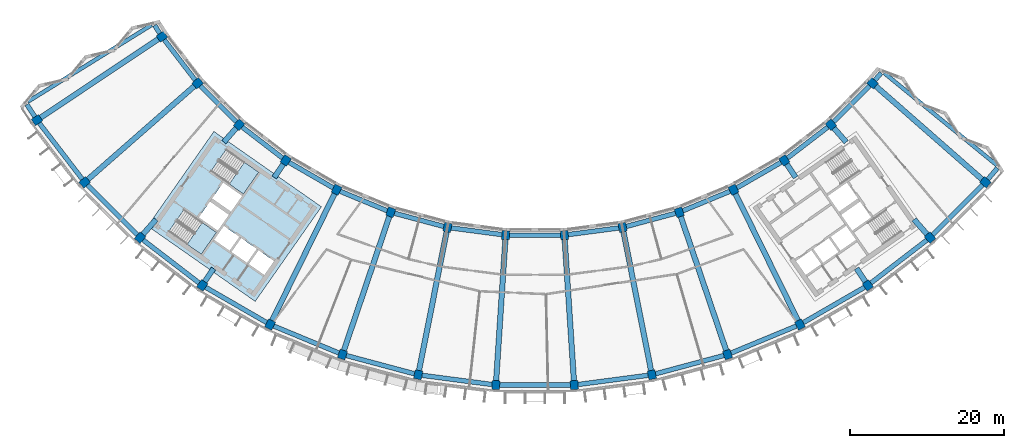
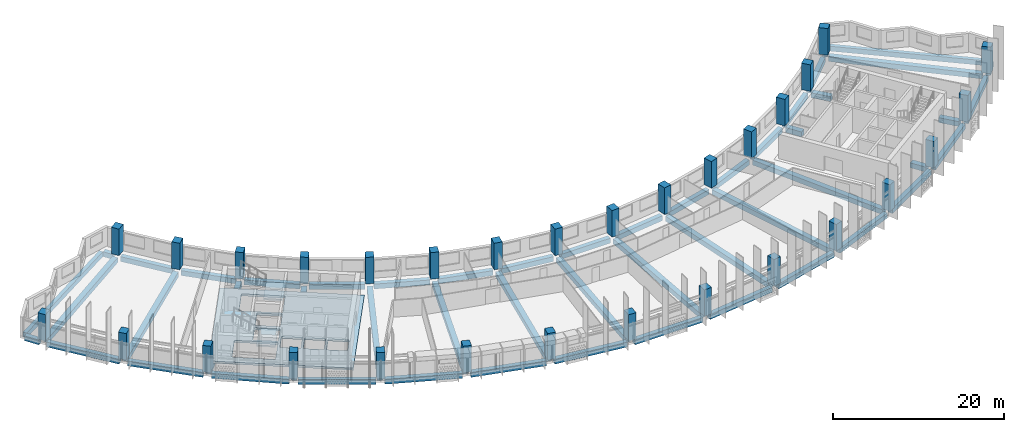
# One storey, part 1 of 28: 53 beams, 30 columns, 3 slabs, 2 elements without a shape of their own.
"""IFC4 building model written with IfcOpenShell, lengths in metres."""

from ifc_helpers import new_model, si_unit, direction, frame, origin, origin_2d, place, context, subcontext, project, spatial, polyline, rectangle, outline, extrude, material, layer, layer_set, material_profile, profile_set, type_object, element, aggregate, save


model = new_model("IFC4")

# Units and contexts
model_context = context("Model", 3, precision=1e-05, world=origin(), true_north=direction((0.0, 1.0)))
body_context = subcontext(model_context, "Body", "Model", "MODEL_VIEW")
ifc_project = project(units=[si_unit("LENGTHUNIT", "METRE"), si_unit("AREAUNIT", "SQUARE_METRE"), si_unit("VOLUMEUNIT", "CUBIC_METRE"), si_unit("PLANEANGLEUNIT", "RADIAN"), si_unit("MASSUNIT", "GRAM", prefix="KILO")], contexts=[model_context])

# Site, building, storey
site_placement = place(None, origin())
site = spatial("IfcSite", under=ifc_project, at=site_placement, CompositionType="ELEMENT")
building_placement = place(site_placement, origin())
building = spatial("IfcBuilding", under=site, at=building_placement, Name="Qamariyya Broadcast Tower", CompositionType="ELEMENT")
storey_placement = place(building_placement, frame((0.0, 0.0, 226.5)))
storey = spatial("IfcBuildingStorey", under=building, at=storey_placement, Name="L54", CompositionType="ELEMENT", Elevation=226.5)

# Columns
ifc_material_1 = material(Name="Concrete C60/75", Category="concrete")
ifc_material_profile_1 = material_profile(ifc_material_1, rectangle(XDim=1.0, YDim=1.14990234375, at=origin_2d()))
ifc_profile_set_1 = profile_set([ifc_material_profile_1], Name="Concrete C60/75")
column_type = type_object("IfcColumnType", Name="RC column 1000 x 1150 C60/75", PredefinedType="COLUMN", material=ifc_profile_set_1)
for number, where, z_axis, x_axis, name in (
    (1, (-48.43310546875, -32.362060546875, 0.0), (0.0, 0.0, 1.0), (0.55557023302, -0.831469612303, 0.0), "Column C11 L54 B-R03"),
    (2, (-64.646728515625, -43.195556640625, 0.0), (0.0, 0.0, 1.0), (0.55557023302, -0.831469612303, 0.0), "Column C11 L54 C-R03"),
    (3, (-43.794677734375, -38.406982421875, 0.0), (0.0, 0.0, 1.0), (0.6593458151, -0.751839807479, 0.0), "Column C11 L54 B-R04"),
    (4, (-58.45556640625, -51.26416015625, 0.0), (0.0, 0.0, 1.0), (0.6593458151, -0.751839807479, 0.0), "Column C11 L54 C-R04"),
    (5, (-38.406982421875, -43.794677734375, 0.0), (0.0, 0.0, 1.0), (0.751839807479, -0.6593458151, 0.0), "Column C11 L54 B-R05"),
    (6, (-51.26416015625, -58.45556640625, 0.0), (0.0, 0.0, 1.0), (0.751839807479, -0.6593458151, 0.0), "Column C11 L54 C-R05"),
    (7, (-32.362060546875, -48.43310546875, 0.0), (0.0, 0.0, 1.0), (0.831469612303, -0.55557023302, 0.0), "Column C11 L54 B-R06"),
    (8, (-43.195556640625, -64.646728515625, 0.0), (0.0, 0.0, 1.0), (0.831469612303, -0.55557023302, 0.0), "Column C11 L54 C-R06"),
    (9, (-25.763427734375, -52.242919921875, 0.0), (0.0, 0.0, 1.0), (0.896872741533, -0.442288690219, 0.0), "Column C11 L54 B-R07"),
    (10, (-34.387939453125, -69.73193359375, 0.0), (0.0, 0.0, 1.0), (0.896872741533, -0.442288690219, 0.0), "Column C11 L54 C-R07"),
    (11, (-18.723876953125, -55.15869140625, 0.0), (0.0, 0.0, 1.0), (0.946930129495, -0.321439465303, 0.0), "Column C11 L54 B-R08"),
    (12, (-24.991943359375, -73.623779296875, 0.0), (0.0, 0.0, 1.0), (0.946930129495, -0.321439465303, 0.0), "Column C11 L54 C-R08"),
    (13, (-11.364013671875, -57.130859375, 0.0), (0.0, 0.0, 1.0), (0.980785280403, -0.195090322016, 0.0), "Column C11 L54 B-R09"),
    (14, (-15.168212890625, -76.256103515625, 0.0), (0.0, 0.0, 1.0), (0.980785280403, -0.195090322016, 0.0), "Column C11 L54 C-R09"),
    (15, (-3.809814453125, -58.125244140625, 0.0), (0.0, 0.0, 1.0), (0.997858923239, -0.06540312923, 0.0), "Column C11 L54 B-R10"),
    (16, (-5.085205078125, -77.58349609375, 0.0), (0.0, 0.0, 1.0), (0.997858923239, -0.06540312923, 0.0), "Column C11 L54 C-R10"),
    (17, (3.809814453125, -58.125244140625, 0.0), (0.0, 0.0, 1.0), (0.997858923239, 0.06540312923, 0.0), "Column C11 L54 B-R11"),
    (18, (5.085205078125, -77.58349609375, 0.0), (0.0, 0.0, 1.0), (0.997858923239, 0.06540312923, 0.0), "Column C11 L54 C-R11"),
    (19, (11.364013671875, -57.130859375, 0.0), (0.0, 0.0, 1.0), (0.980785280403, 0.195090322016, 0.0), "Column C11 L54 B-R12"),
    (20, (15.168212890625, -76.256103515625, 0.0), (0.0, 0.0, 1.0), (0.980785280403, 0.195090322016, 0.0), "Column C11 L54 C-R12"),
    (21, (18.723876953125, -55.15869140625, 0.0), (0.0, 0.0, 1.0), (0.946930129495, 0.321439465303, 0.0), "Column C11 L54 B-R13"),
    (22, (24.991943359375, -73.623779296875, 0.0), (0.0, 0.0, 1.0), (0.946930129495, 0.321439465303, 0.0), "Column C11 L54 C-R13"),
    (23, (25.763427734375, -52.242919921875, 0.0), (0.0, 0.0, 1.0), (0.896872741533, 0.442288690219, 0.0), "Column C11 L54 B-R14"),
    (24, (34.387939453125, -69.73193359375, 0.0), (0.0, 0.0, 1.0), (0.896872741533, 0.442288690219, 0.0), "Column C11 L54 C-R14"),
    (25, (32.362060546875, -48.43310546875, 0.0), (0.0, 0.0, 1.0), (0.831469612303, 0.55557023302, 0.0), "Column C11 L54 B-R15"),
    (26, (43.195556640625, -64.646728515625, 0.0), (0.0, 0.0, 1.0), (0.831469612303, 0.55557023302, 0.0), "Column C11 L54 C-R15"),
    (27, (38.406982421875, -43.794677734375, 0.0), (0.0, 0.0, 1.0), (0.751839807479, 0.6593458151, 0.0), "Column C11 L54 B-R16"),
    (28, (51.26416015625, -58.45556640625, 0.0), (0.0, 0.0, 1.0), (0.751839807479, 0.6593458151, 0.0), "Column C11 L54 C-R16"),
    (29, (43.794677734375, -38.406982421875, 0.0), (0.0, 0.0, 1.0), (0.6593458151, 0.751839807479, 0.0), "Column C11 L54 B-R17"),
    (30, (58.45556640625, -51.26416015625, 0.0), (0.0, 0.0, 1.0), (0.6593458151, 0.751839807479, 0.0), "Column C11 L54 C-R17"),
):
    element("IfcColumn", number, at=place(storey_placement, frame(where, z_axis=z_axis, x_axis=x_axis)), inside=storey, type_object=column_type, Name=name, PredefinedType="COLUMN", context=body_context, shape_type="SweptSolid", body=[
        extrude(rectangle(XDim=1.0, YDim=1.14990234375, at=origin_2d()), origin(), (0.0, 0.0, 1.0), 3.800048828125),
    ])

# Beams
ifc_material_2 = material(Name="Concrete C40/50", Category="concrete")
ifc_material_profile_2 = material_profile(ifc_material_2, rectangle(XDim=0.60009765625, YDim=0.699951171875, at=origin_2d()))
ifc_profile_set_2 = profile_set([ifc_material_profile_2], Name="Concrete C40/50")
beam_type_1 = type_object("IfcBeamType", Name="RC edge beam 600 x 700 C40/50", PredefinedType="SPANDREL", material=ifc_profile_set_2)
for number, where, z_axis, x_axis, name in (
    (31, (-48.128173828125, -32.759521484375, -0.64990234375), (0.608788546151, -0.79333253184, 0.0), (0.79333253184, 0.608788546151, 0.0), "Edge beam B20 L54 B R03-R04"),
    (32, (-43.4404296875, -38.76123046875, -0.64990234375), (0.707106781187, -0.707106781187, 0.0), (0.707106781187, 0.707106781187, 0.0), "Edge beam B20 L54 B R04-R05"),
    (33, (-38.00927734375, -44.099609375, -0.64990234375), (0.79333253184, -0.608788546151, 0.0), (0.608788546151, 0.79333253184, 0.0), "Edge beam B20 L54 B R05-R06"),
):
    element("IfcBeam", number, at=place(storey_placement, frame(where, z_axis=z_axis, x_axis=x_axis)), inside=storey, type_object=beam_type_1, Name=name, PredefinedType="SPANDREL", context=body_context, shape_type="SweptSolid", body=[
        extrude(rectangle(XDim=0.60009765625, YDim=0.699951171875, at=origin_2d()), origin(), (0.0, 0.0, 1.0), 6.617431640625),
    ])
for number, where, z_axis, x_axis, name in (
    (34, (-31.927978515625, -48.68359375, -0.64990234375), (0.866027686223, -0.499996046679, 0.0), (0.499996046679, 0.866027686223, 0.0), "Edge beam B20 L54 B R06-R07"),
    (35, (-25.30029296875, -52.4345703125, -0.64990234375), (0.923870685948, -0.382704789159, 0.0), (0.382704789159, 0.923870685948, 0.0), "Edge beam B20 L54 B R07-R08"),
):
    element("IfcBeam", number, at=place(storey_placement, frame(where, z_axis=z_axis, x_axis=x_axis)), inside=storey, type_object=beam_type_1, Name=name, PredefinedType="SPANDREL", context=body_context, shape_type="SweptSolid", body=[
        extrude(rectangle(XDim=0.60009765625, YDim=0.699951171875, at=origin_2d()), origin(), (0.0, 0.0, 1.0), 6.6171875),
    ])
for number, where, z_axis, x_axis, name in (
    (36, (-18.23974609375, -55.288330078125, -0.64990234375), (0.965927466282, -0.258812924486, 0.0), (0.258812924486, 0.965927466282, 0.0), "Edge beam B20 L54 B R08-R09"),
    (37, (-10.8671875, -57.196044921875, -0.64990234375), (0.991444372314, -0.130529906942, 0.0), (0.130529906942, 0.991444372314, 0.0), "Edge beam B20 L54 B R09-R10"),
):
    element("IfcBeam", number, at=place(storey_placement, frame(where, z_axis=z_axis, x_axis=x_axis)), inside=storey, type_object=beam_type_1, Name=name, PredefinedType="SPANDREL", context=body_context, shape_type="SweptSolid", body=[
        extrude(rectangle(XDim=0.60009765625, YDim=0.699951171875, at=origin_2d()), origin(), (0.0, 0.0, 1.0), 6.617431640625),
    ])
beam_1_placement = place(storey_placement, frame((-3.30859375, -58.125244140625, -0.64990234375), z_axis=(1.0, 0.0, 0.0), x_axis=(0.0, 1.0, 0.0)))
element("IfcBeam", 38, at=beam_1_placement, inside=storey, type_object=beam_type_1, Name="Edge beam B20 L54 B R10-R11", PredefinedType="SPANDREL", context=body_context, shape_type="SweptSolid", body=[
    extrude(rectangle(XDim=0.60009765625, YDim=0.699951171875, at=origin_2d()), origin(), (0.0, 0.0, 1.0), 6.6171875),
])
for number, where, z_axis, x_axis, name in (
    (39, (4.306396484375, -58.059814453125, -0.64990234375), (0.991444372314, 0.130529906942, 0.0), (-0.130529906942, 0.991444372314, 0.0), "Edge beam B20 L54 B R11-R12"),
    (40, (11.847900390625, -57.0009765625, -0.64990234375), (0.965927466282, 0.258812924486, 0.0), (-0.258812924486, 0.965927466282, 0.0), "Edge beam B20 L54 B R12-R13"),
):
    element("IfcBeam", number, at=place(storey_placement, frame(where, z_axis=z_axis, x_axis=x_axis)), inside=storey, type_object=beam_type_1, Name=name, PredefinedType="SPANDREL", context=body_context, shape_type="SweptSolid", body=[
        extrude(rectangle(XDim=0.60009765625, YDim=0.699951171875, at=origin_2d()), origin(), (0.0, 0.0, 1.0), 6.617431640625),
    ])
for number, where, z_axis, x_axis, name in (
    (41, (19.186767578125, -54.967041015625, -0.64990234375), (0.923870685948, 0.382704789159, 0.0), (-0.382704789159, 0.923870685948, 0.0), "Edge beam B20 L54 B R13-R14"),
    (42, (26.197265625, -51.9921875, -0.64990234375), (0.866027686223, 0.499996046679, 0.0), (-0.499996046679, 0.866027686223, 0.0), "Edge beam B20 L54 B R14-R15"),
):
    element("IfcBeam", number, at=place(storey_placement, frame(where, z_axis=z_axis, x_axis=x_axis)), inside=storey, type_object=beam_type_1, Name=name, PredefinedType="SPANDREL", context=body_context, shape_type="SweptSolid", body=[
        extrude(rectangle(XDim=0.60009765625, YDim=0.699951171875, at=origin_2d()), origin(), (0.0, 0.0, 1.0), 6.6171875),
    ])
for number, where, z_axis, x_axis, name in (
    (43, (32.759521484375, -48.128173828125, -0.64990234375), (0.79333253184, 0.608788546151, 0.0), (-0.608788546151, 0.79333253184, 0.0), "Edge beam B20 L54 B R15-R16"),
    (44, (38.76123046875, -43.4404296875, -0.64990234375), (0.707106781187, 0.707106781187, 0.0), (-0.707106781187, 0.707106781187, 0.0), "Edge beam B20 L54 B R16-R17"),
):
    element("IfcBeam", number, at=place(storey_placement, frame(where, z_axis=z_axis, x_axis=x_axis)), inside=storey, type_object=beam_type_1, Name=name, PredefinedType="SPANDREL", context=body_context, shape_type="SweptSolid", body=[
        extrude(rectangle(XDim=0.60009765625, YDim=0.699951171875, at=origin_2d()), origin(), (0.0, 0.0, 1.0), 6.617431640625),
    ])
for number, where, z_axis, x_axis, name in (
    (45, (-64.341796875, -43.593017578125, -0.64990234375), (0.608761882331, -0.793352992445, 0.0), (0.793352992445, 0.608761882331, 0.0), "Edge beam B20 L54 C R03-R04"),
    (46, (-58.101318359375, -51.618408203125, -0.64990234375), (0.707106781187, -0.707106781187, 0.0), (0.707106781187, 0.707106781187, 0.0), "Edge beam B20 L54 C R04-R05"),
    (47, (-50.86669921875, -58.760498046875, -0.64990234375), (0.793352992445, -0.608761882331, 0.0), (0.608761882331, 0.793352992445, 0.0), "Edge beam B20 L54 C R05-R06"),
    (48, (-42.76171875, -64.897216796875, -0.64990234375), (0.866032154434, -0.49998830735, 0.0), (0.49998830735, 0.866032154434, 0.0), "Edge beam B20 L54 C R06-R07"),
    (49, (-33.925048828125, -69.923583984375, -0.64990234375), (0.923876946533, -0.382689675409, 0.0), (0.382689675409, 0.923876946533, 0.0), "Edge beam B20 L54 C R07-R08"),
):
    element("IfcBeam", number, at=place(storey_placement, frame(where, z_axis=z_axis, x_axis=x_axis)), inside=storey, type_object=beam_type_1, Name=name, PredefinedType="SPANDREL", context=body_context, shape_type="SweptSolid", body=[
        extrude(rectangle(XDim=0.60009765625, YDim=0.699951171875, at=origin_2d()), origin(), (0.0, 0.0, 1.0), 9.168212890625),
    ])
for number, where, z_axis, x_axis, name in (
    (50, (-24.5078125, -73.75341796875, -0.64990234375), (0.965919522093, -0.258842571536, 0.0), (0.258842571536, 0.965919522093, 0.0), "Edge beam B20 L54 C R08-R09"),
    (51, (-14.67138671875, -76.321533203125, -0.64990234375), (0.991446770895, -0.130511687147, 0.0), (0.130511687147, 0.991446770895, 0.0), "Edge beam B20 L54 C R09-R10"),
    (52, (-4.583984375, -77.58349609375, -0.64990234375), (1.0, 0.0, 0.0), (0.0, 1.0, 0.0), "Edge beam B20 L54 C R10-R11"),
    (53, (5.581787109375, -77.51806640625, -0.64990234375), (0.991446770895, 0.130511687147, 0.0), (-0.130511687147, 0.991446770895, 0.0), "Edge beam B20 L54 C R11-R12"),
    (54, (15.65234375, -76.12646484375, -0.64990234375), (0.965919522093, 0.258842571536, 0.0), (-0.258842571536, 0.965919522093, 0.0), "Edge beam B20 L54 C R12-R13"),
):
    element("IfcBeam", number, at=place(storey_placement, frame(where, z_axis=z_axis, x_axis=x_axis)), inside=storey, type_object=beam_type_1, Name=name, PredefinedType="SPANDREL", context=body_context, shape_type="SweptSolid", body=[
        extrude(rectangle(XDim=0.60009765625, YDim=0.699951171875, at=origin_2d()), origin(), (0.0, 0.0, 1.0), 9.16796875),
    ])
for number, where, z_axis, x_axis, name in (
    (55, (25.454833984375, -73.43212890625, -0.64990234375), (0.923876946533, 0.382689675409, 0.0), (-0.382689675409, 0.923876946533, 0.0), "Edge beam B20 L54 C R13-R14"),
    (56, (34.82177734375, -69.481201171875, -0.64990234375), (0.866032154434, 0.49998830735, 0.0), (-0.49998830735, 0.866032154434, 0.0), "Edge beam B20 L54 C R14-R15"),
    (57, (43.593017578125, -64.341796875, -0.64990234375), (0.793352992445, 0.608761882331, 0.0), (-0.608761882331, 0.793352992445, 0.0), "Edge beam B20 L54 C R15-R16"),
    (58, (51.618408203125, -58.101318359375, -0.64990234375), (0.707106781187, 0.707106781187, 0.0), (-0.707106781187, 0.707106781187, 0.0), "Edge beam B20 L54 C R16-R17"),
):
    element("IfcBeam", number, at=place(storey_placement, frame(where, z_axis=z_axis, x_axis=x_axis)), inside=storey, type_object=beam_type_1, Name=name, PredefinedType="SPANDREL", context=body_context, shape_type="SweptSolid", body=[
        extrude(rectangle(XDim=0.60009765625, YDim=0.699951171875, at=origin_2d()), origin(), (0.0, 0.0, 1.0), 9.168212890625),
    ])
ifc_material_profile_3 = material_profile(ifc_material_2, rectangle(XDim=0.60009765625, YDim=0.699951171875, at=origin_2d()))
ifc_profile_set_3 = profile_set([ifc_material_profile_3], Name="Concrete C40/50")
beam_type_2 = type_object("IfcBeamType", Name="RC horn beam 600 x 700 C40/50", PredefinedType="BEAM", material=ifc_profile_set_3)
beam_2_placement = place(storey_placement, frame((-48.703857421875, -31.94140625, -0.64990234375), z_axis=(-0.541324347159, 0.840813862381, 0.0), x_axis=(-0.840813862381, -0.541324347159, 0.0)))
element("IfcBeam", 59, at=beam_2_placement, inside=storey, type_object=beam_type_2, Name="Horn beam B19 L54 W B-R03", PredefinedType="BEAM", context=body_context, shape_type="SweptSolid", body=[
    extrude(rectangle(XDim=0.60009765625, YDim=0.699951171875, at=origin_2d()), origin(), (0.0, 0.0, 1.0), 1.24072265625),
])
beam_3_placement = place(storey_placement, frame((-64.91748046875, -42.775146484375, -0.64990234375), z_axis=(-0.541216859875, 0.840883054049, 0.0), x_axis=(-0.840883054049, -0.541216859875, 0.0)))
element("IfcBeam", 60, at=beam_3_placement, inside=storey, type_object=beam_type_2, Name="Horn beam B19 L54 W C-R03", PredefinedType="BEAM", context=body_context, shape_type="SweptSolid", body=[
    extrude(rectangle(XDim=0.60009765625, YDim=0.699951171875, at=origin_2d()), origin(), (0.0, 0.0, 1.0), 1.9072265625),
])
beam_4_placement = place(storey_placement, frame((44.117919921875, -38.025390625, -0.64990234375), z_axis=(0.646356699252, 0.763035397169, 0.0), x_axis=(-0.763035397169, 0.646356699252, 0.0)))
element("IfcBeam", 61, at=beam_4_placement, inside=storey, type_object=beam_type_2, Name="Horn beam B19 L54 E B-R17", PredefinedType="BEAM", context=body_context, shape_type="SweptSolid", body=[
    extrude(rectangle(XDim=0.60009765625, YDim=0.699951171875, at=origin_2d()), origin(), (0.0, 0.0, 1.0), 1.24072265625),
])
beam_5_placement = place(storey_placement, frame((58.77880859375, -50.882568359375, -0.64990234375), z_axis=(0.64639542093, 0.763002594884, 0.0), x_axis=(-0.763002594884, 0.64639542093, 0.0)))
element("IfcBeam", 62, at=beam_5_placement, inside=storey, type_object=beam_type_2, Name="Horn beam B19 L54 E C-R17", PredefinedType="BEAM", context=body_context, shape_type="SweptSolid", body=[
    extrude(rectangle(XDim=0.60009765625, YDim=0.699951171875, at=origin_2d()), origin(), (0.0, 0.0, 1.0), 1.907470703125),
])
ifc_material_profile_4 = material_profile(ifc_material_2, rectangle(XDim=0.5, YDim=0.699951171875, at=origin_2d()))
ifc_profile_set_4 = profile_set([ifc_material_profile_4], Name="Concrete C40/50")
beam_type_3 = type_object("IfcBeamType", Name="RC horn cap beam 500 x 700 C40/50", PredefinedType="BEAM", material=ifc_profile_set_4)
for number, where, z_axis, x_axis, name in (
    (63, (-49.765625, -30.845947265625, -0.64990234375), (-0.84996632089, -0.526837027318, 0.0), (0.526837027318, -0.84996632089, 0.0), "Horn cap beam B21 L54 W B-C"),
    (64, (45.313720703125, -37.077880859375, -0.64990234375), (0.773935428623, -0.633264520025, 0.0), (0.633264520025, 0.773935428623, 0.0), "Horn cap beam B21 L54 E B-C"),
):
    element("IfcBeam", number, at=place(storey_placement, frame(where, z_axis=z_axis, x_axis=x_axis)), inside=storey, type_object=beam_type_3, Name=name, PredefinedType="BEAM", context=body_context, shape_type="SweptSolid", body=[
        extrude(rectangle(XDim=0.5, YDim=0.699951171875, at=origin_2d()), origin(), (0.0, 0.0, 1.0), 18.900146484375),
    ])
ifc_material_profile_5 = material_profile(ifc_material_2, rectangle(XDim=0.699951171875, YDim=0.699951171875, at=origin_2d()))
ifc_profile_set_5 = profile_set([ifc_material_profile_5], Name="Concrete C40/50")
beam_type_4 = type_object("IfcBeamType", Name="RC radial beam 700 x 700 C40/50", PredefinedType="BEAM", material=ifc_profile_set_5)
beam_6_placement = place(storey_placement, frame((-48.9111328125, -32.681396484375, -0.64990234375), z_axis=(-0.831468530479, -0.55557185208, 0.0), x_axis=(0.55557185208, -0.831468530479, 0.0)))
element("IfcBeam", 65, at=beam_6_placement, inside=storey, type_object=beam_type_4, Name="Radial beam B18 L54 R03 B-C", PredefinedType="BEAM", context=body_context, shape_type="SweptSolid", body=[
    extrude(rectangle(XDim=0.699951171875, YDim=0.699951171875, at=origin_2d()), origin(), (0.0, 0.0, 1.0), 18.35009765625),
])
beam_7_placement = place(storey_placement, frame((-44.22705078125, -38.7861328125, -0.64990234375), z_axis=(-0.751840222646, -0.659345341692, 0.0), x_axis=(0.659345341692, -0.751840222646, 0.0)))
element("IfcBeam", 66, at=beam_7_placement, inside=storey, type_object=beam_type_4, Name="Radial beam B18 L54 R04 B-C", PredefinedType="BEAM", context=body_context, shape_type="SweptSolid", body=[
    extrude(rectangle(XDim=0.699951171875, YDim=0.699951171875, at=origin_2d()), origin(), (0.0, 0.0, 1.0), 18.349853515625),
])
beam_8_placement = place(storey_placement, frame((-38.7861328125, -44.22705078125, -0.64990234375), z_axis=(-0.659347500472, -0.751838329444, 0.0), x_axis=(0.751838329444, -0.659347500472, 0.0)))
element("IfcBeam", 67, at=beam_8_placement, inside=storey, type_object=beam_type_4, Name="Radial beam B18 L54 R05 B-C", PredefinedType="BEAM", context=body_context, shape_type="SweptSolid", body=[
    extrude(rectangle(XDim=0.699951171875, YDim=0.699951171875, at=origin_2d()), origin(), (0.0, 0.0, 1.0), 2.43896484375),
])
beam_9_placement = place(storey_placement, frame((-49.1943359375, -56.095458984375, -0.64990234375), z_axis=(-0.65936701245, -0.751821217373, 0.0), x_axis=(0.751821217373, -0.65936701245, 0.0)))
element("IfcBeam", 68, at=beam_9_placement, inside=storey, type_object=beam_type_4, Name="Radial beam B18 L54 R05 B-C", PredefinedType="BEAM", context=body_context, shape_type="SweptSolid", body=[
    extrude(rectangle(XDim=0.699951171875, YDim=0.699951171875, at=origin_2d()), origin(), (0.0, 0.0, 1.0), 2.56396484375),
])
beam_10_placement = place(storey_placement, frame((-32.681396484375, -48.9111328125, -0.64990234375), z_axis=(-0.555589685374, -0.831456614326, 0.0), x_axis=(0.831456614326, -0.555589685374, 0.0)))
element("IfcBeam", 69, at=beam_10_placement, inside=storey, type_object=beam_type_4, Name="Radial beam B18 L54 R06 B-C", PredefinedType="BEAM", context=body_context, shape_type="SweptSolid", body=[
    extrude(rectangle(XDim=0.699951171875, YDim=0.699951171875, at=origin_2d()), origin(), (0.0, 0.0, 1.0), 2.08935546875),
])
beam_11_placement = place(storey_placement, frame((-41.733154296875, -62.458251953125, -0.64990234375), z_axis=(-0.555630982199, -0.831429017788, 0.0), x_axis=(0.831429017788, -0.555630982199, 0.0)))
element("IfcBeam", 70, at=beam_11_placement, inside=storey, type_object=beam_type_4, Name="Radial beam B18 L54 R06 B-C", PredefinedType="BEAM", context=body_context, shape_type="SweptSolid", body=[
    extrude(rectangle(XDim=0.699951171875, YDim=0.699951171875, at=origin_2d()), origin(), (0.0, 0.0, 1.0), 2.05712890625),
])
beam_12_placement = place(storey_placement, frame((-26.017578125, -52.758544921875, -0.64990234375), z_axis=(-0.442289405452, -0.896872388819, 0.0), x_axis=(0.896872388819, -0.442289405452, 0.0)))
element("IfcBeam", 71, at=beam_12_placement, inside=storey, type_object=beam_type_4, Name="Radial beam B18 L54 R07 B-C", PredefinedType="BEAM", context=body_context, shape_type="SweptSolid", body=[
    extrude(rectangle(XDim=0.699951171875, YDim=0.699951171875, at=origin_2d()), origin(), (0.0, 0.0, 1.0), 18.349853515625),
])
for number, where, z_axis, x_axis, name in (
    (72, (-18.90869140625, -55.703125, -0.64990234375), (-0.321439728167, -0.946930040265, 0.0), (0.946930040265, -0.321439728167, 0.0), "Radial beam B18 L54 R08 B-C"),
    (73, (-11.47607421875, -57.694580078125, -0.64990234375), (-0.195097720648, -0.980783808695, 0.0), (0.980783808695, -0.195097720648, 0.0), "Radial beam B18 L54 R09 B-C"),
    (74, (-3.847412109375, -58.698974609375, -0.64990234375), (-0.065405444204, -0.997858771505, 0.0), (0.997858771505, -0.065405444204, 0.0), "Radial beam B18 L54 R10 B-C"),
    (75, (3.847412109375, -58.698974609375, -0.64990234375), (0.065405444204, -0.997858771505, 0.0), (0.997858771505, 0.065405444204, 0.0), "Radial beam B18 L54 R11 B-C"),
    (76, (11.47607421875, -57.694580078125, -0.64990234375), (0.195097720648, -0.980783808695, 0.0), (0.980783808695, 0.195097720648, 0.0), "Radial beam B18 L54 R12 B-C"),
    (77, (18.90869140625, -55.703125, -0.64990234375), (0.321439728167, -0.946930040265, 0.0), (0.946930040265, 0.321439728167, 0.0), "Radial beam B18 L54 R13 B-C"),
):
    element("IfcBeam", number, at=place(storey_placement, frame(where, z_axis=z_axis, x_axis=x_axis)), inside=storey, type_object=beam_type_4, Name=name, PredefinedType="BEAM", context=body_context, shape_type="SweptSolid", body=[
        extrude(rectangle(XDim=0.699951171875, YDim=0.699951171875, at=origin_2d()), origin(), (0.0, 0.0, 1.0), 18.35009765625),
    ])
beam_13_placement = place(storey_placement, frame((26.017578125, -52.758544921875, -0.64990234375), z_axis=(0.442289405452, -0.896872388819, 0.0), x_axis=(0.896872388819, 0.442289405452, 0.0)))
element("IfcBeam", 78, at=beam_13_placement, inside=storey, type_object=beam_type_4, Name="Radial beam B18 L54 R14 B-C", PredefinedType="BEAM", context=body_context, shape_type="SweptSolid", body=[
    extrude(rectangle(XDim=0.699951171875, YDim=0.699951171875, at=origin_2d()), origin(), (0.0, 0.0, 1.0), 18.349853515625),
])
beam_14_placement = place(storey_placement, frame((32.681396484375, -48.9111328125, -0.64990234375), z_axis=(0.555589685374, -0.831456614326, 0.0), x_axis=(0.831456614326, 0.555589685374, 0.0)))
element("IfcBeam", 79, at=beam_14_placement, inside=storey, type_object=beam_type_4, Name="Radial beam B18 L54 R15 B-C", PredefinedType="BEAM", context=body_context, shape_type="SweptSolid", body=[
    extrude(rectangle(XDim=0.699951171875, YDim=0.699951171875, at=origin_2d()), origin(), (0.0, 0.0, 1.0), 2.08935546875),
])
beam_15_placement = place(storey_placement, frame((41.733154296875, -62.458251953125, -0.64990234375), z_axis=(0.555630982199, -0.831429017788, 0.0), x_axis=(0.831429017788, 0.555630982199, 0.0)))
element("IfcBeam", 80, at=beam_15_placement, inside=storey, type_object=beam_type_4, Name="Radial beam B18 L54 R15 B-C", PredefinedType="BEAM", context=body_context, shape_type="SweptSolid", body=[
    extrude(rectangle(XDim=0.699951171875, YDim=0.699951171875, at=origin_2d()), origin(), (0.0, 0.0, 1.0), 2.05712890625),
])
beam_16_placement = place(storey_placement, frame((38.7861328125, -44.22705078125, -0.64990234375), z_axis=(0.659347500472, -0.751838329444, 0.0), x_axis=(0.751838329444, 0.659347500472, 0.0)))
element("IfcBeam", 81, at=beam_16_placement, inside=storey, type_object=beam_type_4, Name="Radial beam B18 L54 R16 B-C", PredefinedType="BEAM", context=body_context, shape_type="SweptSolid", body=[
    extrude(rectangle(XDim=0.699951171875, YDim=0.699951171875, at=origin_2d()), origin(), (0.0, 0.0, 1.0), 2.43896484375),
])
beam_17_placement = place(storey_placement, frame((49.1943359375, -56.095458984375, -0.64990234375), z_axis=(0.65936701245, -0.751821217373, 0.0), x_axis=(0.751821217373, 0.65936701245, 0.0)))
element("IfcBeam", 82, at=beam_17_placement, inside=storey, type_object=beam_type_4, Name="Radial beam B18 L54 R16 B-C", PredefinedType="BEAM", context=body_context, shape_type="SweptSolid", body=[
    extrude(rectangle(XDim=0.699951171875, YDim=0.699951171875, at=origin_2d()), origin(), (0.0, 0.0, 1.0), 2.56396484375),
])
beam_18_placement = place(storey_placement, frame((44.22705078125, -38.7861328125, -0.64990234375), z_axis=(0.751840222646, -0.659345341692, 0.0), x_axis=(0.659345341692, 0.751840222646, 0.0)))
element("IfcBeam", 83, at=beam_18_placement, inside=storey, type_object=beam_type_4, Name="Radial beam B18 L54 R17 B-C", PredefinedType="BEAM", context=body_context, shape_type="SweptSolid", body=[
    extrude(rectangle(XDim=0.699951171875, YDim=0.699951171875, at=origin_2d()), origin(), (0.0, 0.0, 1.0), 18.349853515625),
])

# Slab
ifc_layer_1 = layer(ifc_material_2, 0.300048828125)
ifc_layer_set_1 = layer_set([ifc_layer_1], Name="Core floor slab 300 mm Concrete C40/50")
slab_type_1 = type_object("IfcSlabType", Name="Core floor slab 300 mm Concrete C40/50", PredefinedType="FLOOR", material=ifc_layer_set_1)
slab_1_placement = place(storey_placement, frame((0.0, 0.0, -0.300048828125)))
element("IfcSlab", 84, at=slab_1_placement, inside=storey, type_object=slab_type_1, Name="k-W-L54-slab", PredefinedType="FLOOR", context=body_context, shape_type="SweptSolid", body=[
    extrude(outline(polyline([(-50.286376953125, -56.95751953125), (-36.32373046875, -66.734375), (-27.719970703125, -54.447021484375), (-41.6826171875, -44.67041015625), (-50.286376953125, -56.95751953125)]), holes=[polyline([(-33.87353515625, -61.49169921875), (-35.88037109375, -60.08642578125), (-37.142333984375, -61.888427734375), (-35.13525390625, -63.293701171875), (-33.87353515625, -61.49169921875)]), polyline([(-36.126220703125, -59.914306640625), (-38.133056640625, -58.509033203125), (-39.394775390625, -60.311279296875), (-37.387939453125, -61.716552734375), (-36.126220703125, -59.914306640625)]), polyline([(-38.378662109375, -58.3369140625), (-40.3857421875, -56.931640625), (-41.6474609375, -58.73388671875), (-39.640625, -60.13916015625), (-38.378662109375, -58.3369140625)]), polyline([(-39.742431640625, -55.489990234375), (-42.199951171875, -53.769287109375), (-43.6337890625, -55.817138671875), (-41.17626953125, -57.537841796875), (-39.742431640625, -55.489990234375)]), polyline([(-39.45556640625, -55.080322265625), (-41.9130859375, -53.359619140625), (-40.47900390625, -51.311767578125), (-38.021728515625, -53.032470703125), (-39.45556640625, -55.080322265625)]), polyline([(-42.06103515625, -49.837890625), (-37.849609375, -52.78662109375), (-35.870849609375, -49.960693359375), (-40.082275390625, -47.01171875), (-42.06103515625, -49.837890625)]), polyline([(-47.538818359375, -57.66064453125), (-43.3271484375, -60.609619140625), (-41.348388671875, -57.783447265625), (-45.559814453125, -54.834716796875), (-47.538818359375, -57.66064453125)])]), origin(), (0.0, 0.0, 1.0), 0.300048828125),
])

# Stair, slab
ifc_material_3 = material(Name="Concrete C50/60", Category="concrete")
stair_type = type_object("IfcStairType", Name="Exit stair 22 risers of 173 mm", PredefinedType="HALF_TURN_STAIR", material=ifc_material_3)
stair_1_placement = place(storey_placement, origin())
stair_1 = element("IfcStair", 85, at=stair_1_placement, inside=storey, type_object=stair_type, Name="L54 Stair W2", PredefinedType="HALF_TURN_STAIR")
ifc_layer_2 = layer(ifc_material_3, 0.199951171875)
ifc_layer_set_2 = layer_set([ifc_layer_2], Name="Stair landing")
slab_type_2 = type_object("IfcSlabType", Name="Stair landing", PredefinedType="LANDING", material=ifc_layer_set_2)
slab_2_placement = place(storey_placement, frame((0.0, 0.0, 1.699951171875)))
slab_2 = element("IfcSlab", 86, at=slab_2_placement, type_object=slab_type_2, Name="ST-W2 landing 1", PredefinedType="LANDING", context=body_context, shape_type="SweptSolid", body=[
    extrude(outline(polyline([(-39.692138671875, -51.49658203125), (-37.849609375, -52.78662109375), (-35.870849609375, -49.960693359375), (-37.71337890625, -48.67041015625), (-39.692138671875, -51.49658203125)])), origin(), (0.0, 0.0, 1.0), 0.199951171875),
])
aggregate(stair_1, [slab_2])

stair_2_placement = place(storey_placement, origin())
stair_2 = element("IfcStair", 87, at=stair_2_placement, inside=storey, type_object=stair_type, Name="L54 Stair W1", PredefinedType="HALF_TURN_STAIR")
slab_3_placement = place(storey_placement, frame((0.0, 0.0, 1.699951171875)))
slab_3 = element("IfcSlab", 88, at=slab_3_placement, type_object=slab_type_2, Name="ST-W1 landing 1", PredefinedType="LANDING", context=body_context, shape_type="SweptSolid", body=[
    extrude(outline(polyline([(-45.169677734375, -59.319580078125), (-43.3271484375, -60.609619140625), (-41.348388671875, -57.783447265625), (-43.19091796875, -56.493408203125), (-45.169677734375, -59.319580078125)])), origin(), (0.0, 0.0, 1.0), 0.199951171875),
])
aggregate(stair_2, [slab_3])

save(model, "model.ifc")
